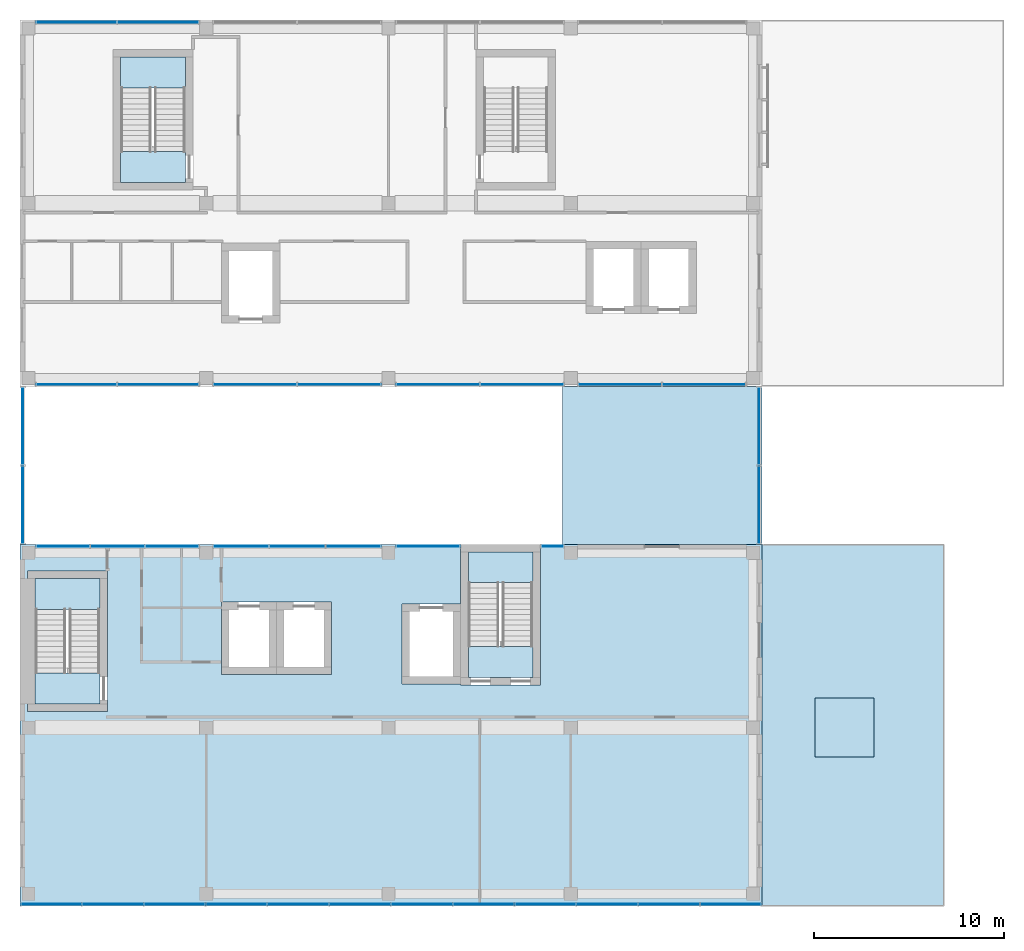
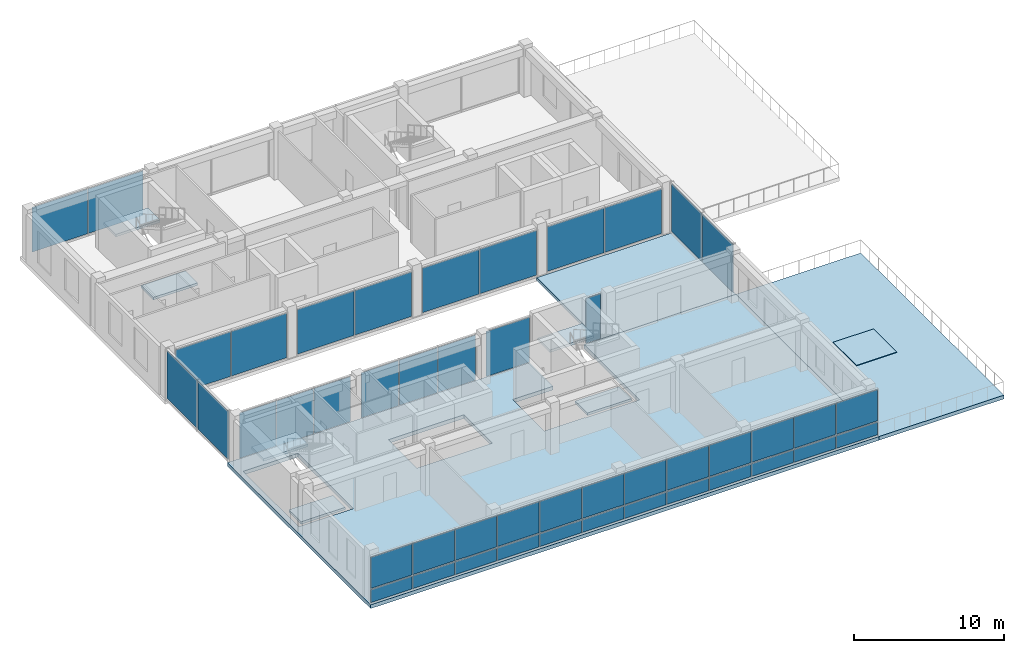
# One storey, part 17 of 27: 47 plates, 9 slabs, 15 elements without a shape of their own.
"""IFC4 building model written with IfcOpenShell, lengths in metres."""

from ifc_helpers import new_model, si_unit, direction, frame, origin, origin_2d, place, context, subcontext, project, spatial, polyline, rectangle, outline, extrude, material, layer, layer_set, type_object, element, aggregate, save


model = new_model("IFC4")

# Units and contexts
model_context = context("Model", 3, precision=1e-05, world=origin(), true_north=direction((0.0, 1.0)))
body_context = subcontext(model_context, "Body", "Model", "MODEL_VIEW")
ifc_project = project(units=[si_unit("LENGTHUNIT", "METRE"), si_unit("AREAUNIT", "SQUARE_METRE"), si_unit("VOLUMEUNIT", "CUBIC_METRE"), si_unit("PLANEANGLEUNIT", "RADIAN"), si_unit("MASSUNIT", "GRAM", prefix="KILO")], contexts=[model_context])

# Site, building, storey
site_placement = place(None, origin())
site = spatial("IfcSite", under=ifc_project, at=site_placement, CompositionType="ELEMENT")
building_placement = place(site_placement, origin())
building = spatial("IfcBuilding", under=site, at=building_placement, Name="Nzadi Deep Aquarium and Research Tower", CompositionType="ELEMENT")
storey_placement = place(building_placement, frame((0.0, 0.0, 69.699951171875)))
storey = spatial("IfcBuildingStorey", under=building, at=storey_placement, Name="L14", CompositionType="ELEMENT", Elevation=69.699951171875)

# Curtain wall, plates
ifc_material_1 = material(Name="Aluminium unitised frame", Category="aluminium")
ifc_layer_1 = layer(ifc_material_1, 0.199951171875)
ifc_layer_set_1 = layer_set([ifc_layer_1], Name="Aluminium unitised frame")
curtain_wall_type_1 = type_object("IfcCurtainWallType", Name="Curtain wall Unitised 200", PredefinedType="NOTDEFINED", material=ifc_layer_set_1)
curtain_wall_1_placement = place(storey_placement, origin())
curtain_wall_1 = element("IfcCurtainWall", 1, at=curtain_wall_1_placement, inside=storey, type_object=curtain_wall_type_1, Name="Unitised curtain wall blade A south L14", PredefinedType="NOTDEFINED")
ifc_material_2 = material(Name="Glass, sage tint", Category="glass")
ifc_layer_2 = layer(ifc_material_2, 0.035888671875)
ifc_layer_set_2 = layer_set([ifc_layer_2], Name="Glass, sage tint")
plate_type_1 = type_object("IfcPlateType", Name="Glazing panel 36 Unitised", PredefinedType="CURTAIN_PANEL", material=ifc_layer_set_2)
plate_1_placement = place(storey_placement, frame((1.442138671875, -0.10009765625, 1.260009765625), z_axis=(0.0, 0.0, 1.0), x_axis=(1.0, 0.0, 0.0)))
plate_1 = element("IfcPlate", 2, at=plate_1_placement, type_object=plate_type_1, Name="CW064 panel 1.2", PredefinedType="CURTAIN_PANEL", context=body_context, shape_type="SweptSolid", body=[
    extrude(rectangle(XDim=3.1640625, YDim=0.035888671875, at=origin_2d()), origin(), (0.0, 0.0, 1.0), 2.52001953125),
])
plate_2_placement = place(storey_placement, frame((4.68115234375, -0.10009765625, 1.260009765625), z_axis=(0.0, 0.0, 1.0), x_axis=(1.0, 0.0, 0.0)))
plate_2 = element("IfcPlate", 3, at=plate_2_placement, type_object=plate_type_1, Name="CW064 panel 2.2", PredefinedType="CURTAIN_PANEL", context=body_context, shape_type="SweptSolid", body=[
    extrude(rectangle(XDim=3.194091796875, YDim=0.035888671875, at=origin_2d()), origin(), (0.0, 0.0, 1.0), 2.52001953125),
])
plate_3_placement = place(storey_placement, frame((7.935302734375, -0.10009765625, 1.260009765625), z_axis=(0.0, 0.0, 1.0), x_axis=(1.0, 0.0, 0.0)))
plate_3 = element("IfcPlate", 4, at=plate_3_placement, type_object=plate_type_1, Name="CW064 panel 3.2", PredefinedType="CURTAIN_PANEL", context=body_context, shape_type="SweptSolid", body=[
    extrude(rectangle(XDim=3.194091796875, YDim=0.035888671875, at=origin_2d()), origin(), (0.0, 0.0, 1.0), 2.52001953125),
])
plate_4_placement = place(storey_placement, frame((11.189697265625, -0.10009765625, 1.260009765625), z_axis=(0.0, 0.0, 1.0), x_axis=(1.0, 0.0, 0.0)))
plate_4 = element("IfcPlate", 5, at=plate_4_placement, type_object=plate_type_1, Name="CW064 panel 4.2", PredefinedType="CURTAIN_PANEL", context=body_context, shape_type="SweptSolid", body=[
    extrude(rectangle(XDim=3.194091796875, YDim=0.035888671875, at=origin_2d()), origin(), (0.0, 0.0, 1.0), 2.52001953125),
])
plate_5_placement = place(storey_placement, frame((14.44384765625, -0.10009765625, 1.260009765625), z_axis=(0.0, 0.0, 1.0), x_axis=(1.0, 0.0, 0.0)))
plate_5 = element("IfcPlate", 6, at=plate_5_placement, type_object=plate_type_1, Name="CW064 panel 5.2", PredefinedType="CURTAIN_PANEL", context=body_context, shape_type="SweptSolid", body=[
    extrude(rectangle(XDim=3.194091796875, YDim=0.035888671875, at=origin_2d()), origin(), (0.0, 0.0, 1.0), 2.52001953125),
])
plate_6_placement = place(storey_placement, frame((17.697998046875, -0.10009765625, 1.260009765625), z_axis=(0.0, 0.0, 1.0), x_axis=(1.0, 0.0, 0.0)))
plate_6 = element("IfcPlate", 7, at=plate_6_placement, type_object=plate_type_1, Name="CW064 panel 6.2", PredefinedType="CURTAIN_PANEL", context=body_context, shape_type="SweptSolid", body=[
    extrude(rectangle(XDim=3.194091796875, YDim=0.035888671875, at=origin_2d()), origin(), (0.0, 0.0, 1.0), 2.52001953125),
])
plate_7_placement = place(storey_placement, frame((20.9521484375, -0.10009765625, 1.260009765625), z_axis=(0.0, 0.0, 1.0), x_axis=(1.0, 0.0, 0.0)))
plate_7 = element("IfcPlate", 8, at=plate_7_placement, type_object=plate_type_1, Name="CW064 panel 7.2", PredefinedType="CURTAIN_PANEL", context=body_context, shape_type="SweptSolid", body=[
    extrude(rectangle(XDim=3.194091796875, YDim=0.035888671875, at=origin_2d()), origin(), (0.0, 0.0, 1.0), 2.52001953125),
])
plate_8_placement = place(storey_placement, frame((24.206298828125, -0.10009765625, 1.260009765625), z_axis=(0.0, 0.0, 1.0), x_axis=(1.0, 0.0, 0.0)))
plate_8 = element("IfcPlate", 9, at=plate_8_placement, type_object=plate_type_1, Name="CW064 panel 8.2", PredefinedType="CURTAIN_PANEL", context=body_context, shape_type="SweptSolid", body=[
    extrude(rectangle(XDim=3.194091796875, YDim=0.035888671875, at=origin_2d()), origin(), (0.0, 0.0, 1.0), 2.52001953125),
])
plate_9_placement = place(storey_placement, frame((27.46044921875, -0.10009765625, 1.260009765625), z_axis=(0.0, 0.0, 1.0), x_axis=(1.0, 0.0, 0.0)))
plate_9 = element("IfcPlate", 10, at=plate_9_placement, type_object=plate_type_1, Name="CW064 panel 9.2", PredefinedType="CURTAIN_PANEL", context=body_context, shape_type="SweptSolid", body=[
    extrude(rectangle(XDim=3.194091796875, YDim=0.035888671875, at=origin_2d()), origin(), (0.0, 0.0, 1.0), 2.52001953125),
])
plate_10_placement = place(storey_placement, frame((30.714599609375, -0.10009765625, 1.260009765625), z_axis=(0.0, 0.0, 1.0), x_axis=(1.0, 0.0, 0.0)))
plate_10 = element("IfcPlate", 11, at=plate_10_placement, type_object=plate_type_1, Name="CW064 panel 10.2", PredefinedType="CURTAIN_PANEL", context=body_context, shape_type="SweptSolid", body=[
    extrude(rectangle(XDim=3.194091796875, YDim=0.035888671875, at=origin_2d()), origin(), (0.0, 0.0, 1.0), 2.52001953125),
])
plate_11_placement = place(storey_placement, frame((33.96875, -0.10009765625, 1.260009765625), z_axis=(0.0, 0.0, 1.0), x_axis=(1.0, 0.0, 0.0)))
plate_11 = element("IfcPlate", 12, at=plate_11_placement, type_object=plate_type_1, Name="CW064 panel 11.2", PredefinedType="CURTAIN_PANEL", context=body_context, shape_type="SweptSolid", body=[
    extrude(rectangle(XDim=3.194091796875, YDim=0.035888671875, at=origin_2d()), origin(), (0.0, 0.0, 1.0), 2.52001953125),
])
plate_12_placement = place(storey_placement, frame((37.2080078125, -0.10009765625, 1.260009765625), z_axis=(0.0, 0.0, 1.0), x_axis=(1.0, 0.0, 0.0)))
plate_12 = element("IfcPlate", 13, at=plate_12_placement, type_object=plate_type_1, Name="CW064 panel 12.2", PredefinedType="CURTAIN_PANEL", context=body_context, shape_type="SweptSolid", body=[
    extrude(rectangle(XDim=3.1640625, YDim=0.035888671875, at=origin_2d()), origin(), (0.0, 0.0, 1.0), 2.52001953125),
])

curtain_wall_2_placement = place(storey_placement, origin())
curtain_wall_2 = element("IfcCurtainWall", 14, at=curtain_wall_2_placement, inside=storey, type_object=curtain_wall_type_1, Name="Unitised curtain wall blade A north L14", PredefinedType="NOTDEFINED")
plate_13_placement = place(storey_placement, frame((2.056640625, 18.75, 0.1201171875), z_axis=(0.0, 0.0, 1.0), x_axis=(1.0, 0.0, 0.0)))
plate_13 = element("IfcPlate", 15, at=plate_13_placement, type_object=plate_type_1, Name="CW065 panel 1.1", PredefinedType="CURTAIN_PANEL", context=body_context, shape_type="SweptSolid", body=[
    extrude(rectangle(XDim=2.793212890625, YDim=0.035888671875, at=origin_2d()), origin(), (0.0, 0.0, 1.0), 3.659912109375),
])
plate_14_placement = place(storey_placement, frame((4.925048828125, 18.75, 0.1201171875), z_axis=(0.0, 0.0, 1.0), x_axis=(1.0, 0.0, 0.0)))
plate_14 = element("IfcPlate", 16, at=plate_14_placement, type_object=plate_type_1, Name="CW065 panel 2.1", PredefinedType="CURTAIN_PANEL", context=body_context, shape_type="SweptSolid", body=[
    extrude(rectangle(XDim=2.8232421875, YDim=0.035888671875, at=origin_2d()), origin(), (0.0, 0.0, 1.0), 3.659912109375),
])
plate_15_placement = place(storey_placement, frame((7.793212890625, 18.75, 0.1201171875), z_axis=(0.0, 0.0, 1.0), x_axis=(1.0, 0.0, 0.0)))
plate_15 = element("IfcPlate", 17, at=plate_15_placement, type_object=plate_type_1, Name="CW065 panel 3.1", PredefinedType="CURTAIN_PANEL", context=body_context, shape_type="SweptSolid", body=[
    extrude(rectangle(XDim=2.793212890625, YDim=0.035888671875, at=origin_2d()), origin(), (0.0, 0.0, 1.0), 3.659912109375),
])
aggregate(curtain_wall_2, [plate_13, plate_14, plate_15])

curtain_wall_3_placement = place(storey_placement, origin())
curtain_wall_3 = element("IfcCurtainWall", 18, at=curtain_wall_3_placement, inside=storey, type_object=curtain_wall_type_1, Name="Unitised curtain wall blade A north L14", PredefinedType="NOTDEFINED")
plate_16_placement = place(storey_placement, frame((11.4482421875, 18.75, 0.1201171875), z_axis=(0.0, 0.0, 1.0), x_axis=(1.0, 0.0, 0.0)))
plate_16 = element("IfcPlate", 19, at=plate_16_placement, type_object=plate_type_1, Name="CW066 panel 1.1", PredefinedType="CURTAIN_PANEL", context=body_context, shape_type="SweptSolid", body=[
    extrude(rectangle(XDim=2.876708984375, YDim=0.035888671875, at=origin_2d()), origin(), (0.0, 0.0, 1.0), 3.659912109375),
])
plate_17_placement = place(storey_placement, frame((14.39990234375, 18.75, 0.1201171875), z_axis=(0.0, 0.0, 1.0), x_axis=(1.0, 0.0, 0.0)))
plate_17 = element("IfcPlate", 20, at=plate_17_placement, type_object=plate_type_1, Name="CW066 panel 2.1", PredefinedType="CURTAIN_PANEL", context=body_context, shape_type="SweptSolid", body=[
    extrude(rectangle(XDim=2.90673828125, YDim=0.035888671875, at=origin_2d()), origin(), (0.0, 0.0, 1.0), 3.659912109375),
])
plate_18_placement = place(storey_placement, frame((17.3515625, 18.75, 0.1201171875), z_axis=(0.0, 0.0, 1.0), x_axis=(1.0, 0.0, 0.0)))
plate_18 = element("IfcPlate", 21, at=plate_18_placement, type_object=plate_type_1, Name="CW066 panel 3.1", PredefinedType="CURTAIN_PANEL", context=body_context, shape_type="SweptSolid", body=[
    extrude(rectangle(XDim=2.876708984375, YDim=0.035888671875, at=origin_2d()), origin(), (0.0, 0.0, 1.0), 3.659912109375),
])
aggregate(curtain_wall_3, [plate_16, plate_17, plate_18])

# Curtain wall, plate
curtain_wall_4_placement = place(storey_placement, origin())
curtain_wall_4 = element("IfcCurtainWall", 22, at=curtain_wall_4_placement, inside=storey, type_object=curtain_wall_type_1, Name="Unitised curtain wall blade A north L14", PredefinedType="NOTDEFINED")
plate_19_placement = place(storey_placement, frame((21.27490234375, 18.75, 0.1201171875), z_axis=(0.0, 0.0, 1.0), x_axis=(1.0, 0.0, 0.0)))
plate_19 = element("IfcPlate", 23, at=plate_19_placement, type_object=plate_type_1, Name="CW067 panel 1.1", PredefinedType="CURTAIN_PANEL", context=body_context, shape_type="SweptSolid", body=[
    extrude(rectangle(XDim=3.330078125, YDim=0.035888671875, at=origin_2d()), origin(), (0.0, 0.0, 1.0), 3.659912109375),
])
aggregate(curtain_wall_4, [plate_19])

curtain_wall_5_placement = place(storey_placement, origin())
curtain_wall_5 = element("IfcCurtainWall", 24, at=curtain_wall_5_placement, inside=storey, type_object=curtain_wall_type_1, Name="Unitised curtain wall blade A north L14", PredefinedType="NOTDEFINED")
plate_20_placement = place(storey_placement, frame((27.824951171875, 18.75, 0.1201171875), z_axis=(0.0, 0.0, 1.0), x_axis=(1.0, 0.0, 0.0)))
plate_20 = element("IfcPlate", 25, at=plate_20_placement, type_object=plate_type_1, Name="CW068 panel 1.1", PredefinedType="CURTAIN_PANEL", context=body_context, shape_type="SweptSolid", body=[
    extrude(rectangle(XDim=1.1298828125, YDim=0.035888671875, at=origin_2d()), origin(), (0.0, 0.0, 1.0), 3.659912109375),
])
aggregate(curtain_wall_5, [plate_20])

# Curtain wall, plates
ifc_material_3 = material(Name="Aluminium unitised frame deep", Category="aluminium")
ifc_layer_3 = layer(ifc_material_3, 0.22509765625)
ifc_layer_set_3 = layer_set([ifc_layer_3], Name="Aluminium unitised frame deep")
curtain_wall_type_2 = type_object("IfcCurtainWallType", Name="Curtain wall Unitised Deep 225", PredefinedType="NOTDEFINED", material=ifc_layer_set_3)
curtain_wall_6_placement = place(storey_placement, origin())
curtain_wall_6 = element("IfcCurtainWall", 26, at=curtain_wall_6_placement, inside=storey, type_object=curtain_wall_type_2, Name="Unitised curtain wall blade B south L14", PredefinedType="NOTDEFINED")
ifc_material_4 = material(Name="Glass, sage tint", Category="glass")
ifc_layer_4 = layer(ifc_material_4, 0.0400390625)
ifc_layer_set_4 = layer_set([ifc_layer_4], Name="Glass, sage tint")
plate_type_2 = type_object("IfcPlateType", Name="Glazing panel 40 Unitised Deep", PredefinedType="CURTAIN_PANEL", material=ifc_layer_set_4)
plate_21_placement = place(storey_placement, frame((2.777587890625, 27.262451171875, 0.139892578125), z_axis=(0.0, 0.0, 1.0), x_axis=(1.0, 0.0, 0.0)))
plate_21 = element("IfcPlate", 27, at=plate_21_placement, type_object=plate_type_2, Name="CW176 panel 1.1", PredefinedType="CURTAIN_PANEL", context=body_context, shape_type="SweptSolid", body=[
    extrude(rectangle(XDim=4.235107421875, YDim=0.0400390625, at=origin_2d()), origin(), (0.0, 0.0, 1.0), 3.6201171875),
])
plate_22_placement = place(storey_placement, frame((7.072509765625, 27.262451171875, 0.139892578125), z_axis=(0.0, 0.0, 1.0), x_axis=(1.0, 0.0, 0.0)))
plate_22 = element("IfcPlate", 28, at=plate_22_placement, type_object=plate_type_2, Name="CW176 panel 2.1", PredefinedType="CURTAIN_PANEL", context=body_context, shape_type="SweptSolid", body=[
    extrude(rectangle(XDim=4.235107421875, YDim=0.0400390625, at=origin_2d()), origin(), (0.0, 0.0, 1.0), 3.6201171875),
])
aggregate(curtain_wall_6, [plate_21, plate_22])

curtain_wall_7_placement = place(storey_placement, origin())
curtain_wall_7 = element("IfcCurtainWall", 29, at=curtain_wall_7_placement, inside=storey, type_object=curtain_wall_type_2, Name="Unitised curtain wall blade B south L14", PredefinedType="NOTDEFINED")
plate_23_placement = place(storey_placement, frame((12.18994140625, 27.262451171875, 0.139892578125), z_axis=(0.0, 0.0, 1.0), x_axis=(1.0, 0.0, 0.0)))
plate_23 = element("IfcPlate", 30, at=plate_23_placement, type_object=plate_type_2, Name="CW177 panel 1.1", PredefinedType="CURTAIN_PANEL", context=body_context, shape_type="SweptSolid", body=[
    extrude(rectangle(XDim=4.360107421875, YDim=0.0400390625, at=origin_2d()), origin(), (0.0, 0.0, 1.0), 3.6201171875),
])
plate_24_placement = place(storey_placement, frame((16.610107421875, 27.262451171875, 0.139892578125), z_axis=(0.0, 0.0, 1.0), x_axis=(1.0, 0.0, 0.0)))
plate_24 = element("IfcPlate", 31, at=plate_24_placement, type_object=plate_type_2, Name="CW177 panel 2.1", PredefinedType="CURTAIN_PANEL", context=body_context, shape_type="SweptSolid", body=[
    extrude(rectangle(XDim=4.360107421875, YDim=0.0400390625, at=origin_2d()), origin(), (0.0, 0.0, 1.0), 3.6201171875),
])
aggregate(curtain_wall_7, [plate_23, plate_24])

curtain_wall_8_placement = place(storey_placement, origin())
curtain_wall_8 = element("IfcCurtainWall", 32, at=curtain_wall_8_placement, inside=storey, type_object=curtain_wall_type_2, Name="Unitised curtain wall blade B south L14", PredefinedType="NOTDEFINED")
plate_25_placement = place(storey_placement, frame((21.7900390625, 27.262451171875, 0.139892578125), z_axis=(0.0, 0.0, 1.0), x_axis=(1.0, 0.0, 0.0)))
plate_25 = element("IfcPlate", 33, at=plate_25_placement, type_object=plate_type_2, Name="CW178 panel 1.1", PredefinedType="CURTAIN_PANEL", context=body_context, shape_type="SweptSolid", body=[
    extrude(rectangle(XDim=4.360107421875, YDim=0.0400390625, at=origin_2d()), origin(), (0.0, 0.0, 1.0), 3.6201171875),
])
plate_26_placement = place(storey_placement, frame((26.2099609375, 27.262451171875, 0.139892578125), z_axis=(0.0, 0.0, 1.0), x_axis=(1.0, 0.0, 0.0)))
plate_26 = element("IfcPlate", 34, at=plate_26_placement, type_object=plate_type_2, Name="CW178 panel 2.1", PredefinedType="CURTAIN_PANEL", context=body_context, shape_type="SweptSolid", body=[
    extrude(rectangle(XDim=4.360107421875, YDim=0.0400390625, at=origin_2d()), origin(), (0.0, 0.0, 1.0), 3.6201171875),
])
aggregate(curtain_wall_8, [plate_25, plate_26])

curtain_wall_9_placement = place(storey_placement, origin())
curtain_wall_9 = element("IfcCurtainWall", 35, at=curtain_wall_9_placement, inside=storey, type_object=curtain_wall_type_2, Name="Unitised curtain wall blade B south L14", PredefinedType="NOTDEFINED")
plate_27_placement = place(storey_placement, frame((31.389892578125, 27.262451171875, 0.139892578125), z_axis=(0.0, 0.0, 1.0), x_axis=(1.0, 0.0, 0.0)))
plate_27 = element("IfcPlate", 36, at=plate_27_placement, type_object=plate_type_2, Name="CW179 panel 1.1", PredefinedType="CURTAIN_PANEL", context=body_context, shape_type="SweptSolid", body=[
    extrude(rectangle(XDim=4.360107421875, YDim=0.0400390625, at=origin_2d()), origin(), (0.0, 0.0, 1.0), 3.6201171875),
])
plate_28_placement = place(storey_placement, frame((35.81005859375, 27.262451171875, 0.139892578125), z_axis=(0.0, 0.0, 1.0), x_axis=(1.0, 0.0, 0.0)))
plate_28 = element("IfcPlate", 37, at=plate_28_placement, type_object=plate_type_2, Name="CW179 panel 2.1", PredefinedType="CURTAIN_PANEL", context=body_context, shape_type="SweptSolid", body=[
    extrude(rectangle(XDim=4.360107421875, YDim=0.0400390625, at=origin_2d()), origin(), (0.0, 0.0, 1.0), 3.6201171875),
])
aggregate(curtain_wall_9, [plate_27, plate_28])

curtain_wall_10_placement = place(storey_placement, origin())
curtain_wall_10 = element("IfcCurtainWall", 38, at=curtain_wall_10_placement, inside=storey, type_object=curtain_wall_type_2, Name="Unitised curtain wall blade B north L14", PredefinedType="NOTDEFINED")
plate_29_placement = place(storey_placement, frame((2.777587890625, 46.33740234375, 0.139892578125), z_axis=(0.0, 0.0, 1.0), x_axis=(1.0, 0.0, 0.0)))
plate_29 = element("IfcPlate", 39, at=plate_29_placement, type_object=plate_type_2, Name="CW180 panel 1.1", PredefinedType="CURTAIN_PANEL", context=body_context, shape_type="SweptSolid", body=[
    extrude(rectangle(XDim=4.235107421875, YDim=0.0400390625, at=origin_2d()), origin(), (0.0, 0.0, 1.0), 3.6201171875),
])
plate_30_placement = place(storey_placement, frame((7.072509765625, 46.33740234375, 0.139892578125), z_axis=(0.0, 0.0, 1.0), x_axis=(1.0, 0.0, 0.0)))
plate_30 = element("IfcPlate", 40, at=plate_30_placement, type_object=plate_type_2, Name="CW180 panel 2.1", PredefinedType="CURTAIN_PANEL", context=body_context, shape_type="SweptSolid", body=[
    extrude(rectangle(XDim=4.235107421875, YDim=0.0400390625, at=origin_2d()), origin(), (0.0, 0.0, 1.0), 3.6201171875),
])
aggregate(curtain_wall_10, [plate_29, plate_30])

ifc_material_5 = material(Name="Aluminium unitised frame wind post", Category="aluminium")
ifc_layer_5 = layer(ifc_material_5, 0.300048828125)
ifc_layer_set_5 = layer_set([ifc_layer_5], Name="Aluminium unitised frame wind post")
curtain_wall_type_3 = type_object("IfcCurtainWallType", Name="Curtain wall Slot End 300", PredefinedType="NOTDEFINED", material=ifc_layer_set_5)
curtain_wall_11_placement = place(storey_placement, origin())
curtain_wall_11 = element("IfcCurtainWall", 41, at=curtain_wall_11_placement, inside=storey, type_object=curtain_wall_type_3, Name="Glazed slot end west L14", PredefinedType="NOTDEFINED")
ifc_material_6 = material(Name="Glass, sage tint", Category="glass")
ifc_layer_6 = layer(ifc_material_6, 0.0439453125)
ifc_layer_set_6 = layer_set([ifc_layer_6], Name="Glass, sage tint")
plate_type_3 = type_object("IfcPlateType", Name="Glazing panel 44 Slot End", PredefinedType="CURTAIN_PANEL", material=ifc_layer_set_6)
plate_31_placement = place(storey_placement, frame((-0.050048828125, 20.93994140625, 0.16015625), z_axis=(0.0, 0.0, 1.0), x_axis=(0.0, 1.0, 0.0)))
plate_31 = element("IfcPlate", 42, at=plate_31_placement, type_object=plate_type_3, Name="CW219 panel 1.1", PredefinedType="CURTAIN_PANEL", context=body_context, shape_type="SweptSolid", body=[
    extrude(rectangle(XDim=4.06005859375, YDim=0.0439453125, at=origin_2d()), origin(), (0.0, 0.0, 1.0), 3.8798828125),
])
plate_32_placement = place(storey_placement, frame((-0.050048828125, 25.06005859375, 0.16015625), z_axis=(0.0, 0.0, 1.0), x_axis=(0.0, 1.0, 0.0)))
plate_32 = element("IfcPlate", 43, at=plate_32_placement, type_object=plate_type_3, Name="CW219 panel 2.1", PredefinedType="CURTAIN_PANEL", context=body_context, shape_type="SweptSolid", body=[
    extrude(rectangle(XDim=4.06005859375, YDim=0.0439453125, at=origin_2d()), origin(), (0.0, 0.0, 1.0), 3.8798828125),
])
aggregate(curtain_wall_11, [plate_31, plate_32])

curtain_wall_12_placement = place(storey_placement, origin())
curtain_wall_12 = element("IfcCurtainWall", 44, at=curtain_wall_12_placement, inside=storey, type_object=curtain_wall_type_3, Name="Glazed slot end east L14", PredefinedType="NOTDEFINED")
plate_33_placement = place(storey_placement, frame((38.699951171875, 20.93994140625, 0.16015625), z_axis=(0.0, 0.0, 1.0), x_axis=(0.0, 1.0, 0.0)))
plate_33 = element("IfcPlate", 45, at=plate_33_placement, type_object=plate_type_3, Name="CW220 panel 1.1", PredefinedType="CURTAIN_PANEL", context=body_context, shape_type="SweptSolid", body=[
    extrude(rectangle(XDim=4.06005859375, YDim=0.0439453125, at=origin_2d()), origin(), (0.0, 0.0, 1.0), 3.8798828125),
])
plate_34_placement = place(storey_placement, frame((38.699951171875, 25.06005859375, 0.16015625), z_axis=(0.0, 0.0, 1.0), x_axis=(0.0, 1.0, 0.0)))
plate_34 = element("IfcPlate", 46, at=plate_34_placement, type_object=plate_type_3, Name="CW220 panel 2.1", PredefinedType="CURTAIN_PANEL", context=body_context, shape_type="SweptSolid", body=[
    extrude(rectangle(XDim=4.06005859375, YDim=0.0439453125, at=origin_2d()), origin(), (0.0, 0.0, 1.0), 3.8798828125),
])
aggregate(curtain_wall_12, [plate_33, plate_34])

# Stair, slabs
ifc_material_7 = material(Name="Concrete C35/45", Category="concrete")
stair_type = type_object("IfcStairType", Name="STAIR RETURN 3000", PredefinedType="NOTDEFINED", material=ifc_material_7)
stair_1_placement = place(storey_placement, origin())
stair_1 = element("IfcStair", 47, at=stair_1_placement, inside=storey, type_object=stair_type, Name="Stair ST-Z1-SW L14", PredefinedType="HALF_TURN_STAIR")
ifc_material_8 = material(Name="Concrete C35/45", Category="concrete")
ifc_layer_7 = layer(ifc_material_8, 0.199951171875)
ifc_layer_set_7 = layer_set([ifc_layer_7], Name="Concrete C35/45")
slab_type_1 = type_object("IfcSlabType", Name="LANDING 200", PredefinedType="LANDING", material=ifc_layer_set_7)
slab_1_placement = place(storey_placement, frame((0.0, 0.0, -0.199951171875)))
slab_1 = element("IfcSlab", 48, at=slab_1_placement, type_object=slab_type_1, Name="ST-Z1-SW landing 1", PredefinedType="LANDING", context=body_context, shape_type="SweptSolid", body=[
    extrude(outline(polyline([(0.60009765625, 10.449951171875), (4.0, 10.449951171875), (4.0, 12.070068359375), (0.60009765625, 12.070068359375), (0.60009765625, 10.449951171875)])), origin(), (0.0, 0.0, 1.0), 0.199951171875),
])
slab_2_placement = place(storey_placement, frame((0.0, 0.0, 1.900146484375)))
slab_2 = element("IfcSlab", 49, at=slab_2_placement, type_object=slab_type_1, Name="ST-Z1-SW landing 2", PredefinedType="LANDING", context=body_context, shape_type="SweptSolid", body=[
    extrude(outline(polyline([(0.60009765625, 15.429931640625), (4.0, 15.429931640625), (4.0, 17.050048828125), (0.60009765625, 17.050048828125), (0.60009765625, 15.429931640625)])), origin(), (0.0, 0.0, 1.0), 0.199951171875),
])
aggregate(stair_1, [slab_1, slab_2])

stair_2_placement = place(storey_placement, origin())
stair_2 = element("IfcStair", 50, at=stair_2_placement, inside=storey, type_object=stair_type, Name="Stair ST-Z1-SE L14", PredefinedType="HALF_TURN_STAIR")
slab_3_placement = place(storey_placement, frame((0.0, 0.0, -0.199951171875)))
slab_3 = element("IfcSlab", 51, at=slab_3_placement, type_object=slab_type_1, Name="ST-Z1-SE landing 1", PredefinedType="LANDING", context=body_context, shape_type="SweptSolid", body=[
    extrude(outline(polyline([(23.39990234375, 11.85009765625), (26.800048828125, 11.85009765625), (26.800048828125, 13.469970703125), (23.39990234375, 13.469970703125), (23.39990234375, 11.85009765625)])), origin(), (0.0, 0.0, 1.0), 0.199951171875),
])
slab_4_placement = place(storey_placement, frame((0.0, 0.0, 1.900146484375)))
slab_4 = element("IfcSlab", 52, at=slab_4_placement, type_object=slab_type_1, Name="ST-Z1-SE landing 2", PredefinedType="LANDING", context=body_context, shape_type="SweptSolid", body=[
    extrude(outline(polyline([(23.39990234375, 16.830078125), (26.800048828125, 16.830078125), (26.800048828125, 18.449951171875), (23.39990234375, 18.449951171875), (23.39990234375, 16.830078125)])), origin(), (0.0, 0.0, 1.0), 0.199951171875),
])
aggregate(stair_2, [slab_3, slab_4])

stair_3_placement = place(storey_placement, origin())
stair_3 = element("IfcStair", 53, at=stair_3_placement, inside=storey, type_object=stair_type, Name="Stair ST-Z1-NW L14", PredefinedType="HALF_TURN_STAIR")
slab_5_placement = place(storey_placement, frame((0.0, 0.0, -0.199951171875)))
slab_5 = element("IfcSlab", 54, at=slab_5_placement, type_object=slab_type_1, Name="ST-Z1-NW landing 1", PredefinedType="LANDING", context=body_context, shape_type="SweptSolid", body=[
    extrude(outline(polyline([(5.10009765625, 37.89990234375), (8.5, 37.89990234375), (8.5, 39.52001953125), (5.10009765625, 39.52001953125), (5.10009765625, 37.89990234375)])), origin(), (0.0, 0.0, 1.0), 0.199951171875),
])
slab_6_placement = place(storey_placement, frame((0.0, 0.0, 1.900146484375)))
slab_6 = element("IfcSlab", 55, at=slab_6_placement, type_object=slab_type_1, Name="ST-Z1-NW landing 2", PredefinedType="LANDING", context=body_context, shape_type="SweptSolid", body=[
    extrude(outline(polyline([(5.10009765625, 42.8798828125), (8.5, 42.8798828125), (8.5, 44.5), (5.10009765625, 44.5), (5.10009765625, 42.8798828125)])), origin(), (0.0, 0.0, 1.0), 0.199951171875),
])
aggregate(stair_3, [slab_5, slab_6])

# Slabs
ifc_material_9 = material(Name="Concrete C35/45", Category="concrete")
ifc_layer_8 = layer(ifc_material_9, 0.300048828125)
ifc_layer_set_8 = layer_set([ifc_layer_8], Name="Concrete C35/45")
slab_type_2 = type_object("IfcSlabType", Name="RC floor slab 300", PredefinedType="FLOOR", material=ifc_layer_set_8)
slab_7_placement = place(storey_placement, frame((0.0, 0.0, -0.300048828125)))
element("IfcSlab", 56, at=slab_7_placement, inside=storey, type_object=slab_type_2, Name="Tower floor A L14", PredefinedType="FLOOR", context=body_context, shape_type="SweptSolid", body=[
    extrude(outline(polyline([(27.199951171875, 11.449951171875), (23.0, 11.449951171875), (23.0, 11.5), (19.89990234375, 11.5), (19.89990234375, 15.699951171875), (23.0, 15.699951171875), (23.0, 18.85009765625), (-0.199462890625, 18.85009765625), (-0.199462890625, -0.199951171875), (38.85009765625, -0.199951171875), (38.85009765625, 18.85009765625), (27.199951171875, 18.85009765625), (27.199951171875, 11.449951171875)]), holes=[polyline([(4.39990234375, 17.449951171875), (4.39990234375, 10.050048828125), (0.199951171875, 10.050048828125), (0.199951171875, 17.449951171875), (4.39990234375, 17.449951171875)]), polyline([(10.39990234375, 12.0), (10.39990234375, 15.800048828125), (13.300048828125, 15.800048828125), (16.199951171875, 15.800048828125), (16.199951171875, 12.0), (13.300048828125, 12.0), (10.39990234375, 12.0)])]), origin(), (0.0, 0.0, 1.0), 0.300048828125),
])
ifc_material_10 = material(Name="Concrete C35/45", Category="concrete")
ifc_layer_9 = layer(ifc_material_10, 0.25)
ifc_layer_set_9 = layer_set([ifc_layer_9], Name="Concrete C35/45")
slab_type_3 = type_object("IfcSlabType", Name="RC roof slab 250", PredefinedType="ROOF", material=ifc_layer_set_9)
slab_8_placement = place(storey_placement, frame((0.0, 0.0, -0.25)))
element("IfcSlab", 57, at=slab_8_placement, inside=storey, type_object=slab_type_3, Name="Bridge roof L13", PredefinedType="ROOF", context=body_context, shape_type="SweptSolid", body=[
    extrude(outline(polyline([(38.85009765625, 18.85009765625), (38.85009765625, 27.14990234375), (28.35009765625, 27.14990234375), (28.35009765625, 18.85009765625), (38.85009765625, 18.85009765625)])), origin(), (0.0, 0.0, 1.0), 0.25),
])
ifc_material_11 = material(Name="Concrete C35/45", Category="concrete")
ifc_layer_10 = layer(ifc_material_11, 0.300048828125)
ifc_layer_set_10 = layer_set([ifc_layer_10], Name="Concrete C35/45")
slab_type_4 = type_object("IfcSlabType", Name="RC roof slab 300", PredefinedType="ROOF", material=ifc_layer_set_10)
slab_9_placement = place(storey_placement, frame((0.0, 0.0, -0.300048828125)))
element("IfcSlab", 58, at=slab_9_placement, inside=storey, type_object=slab_type_4, Name="Terrace A L14", PredefinedType="ROOF", context=body_context, shape_type="SweptSolid", body=[
    extrude(outline(polyline([(38.85009765625, -0.199951171875), (48.449951171875, -0.199951171875), (48.449951171875, 18.85009765625), (38.85009765625, 18.85009765625), (38.85009765625, -0.199951171875)]), holes=[polyline([(44.699951171875, 7.699951171875), (41.699951171875, 7.699951171875), (41.699951171875, 10.699951171875), (44.699951171875, 10.699951171875), (44.699951171875, 7.699951171875)])]), origin(), (0.0, 0.0, 1.0), 0.300048828125),
])

# Plate
ifc_material_12 = material(Name="Glass", Category="glass")
ifc_layer_11 = layer(ifc_material_12, 0.0400390625)
ifc_layer_set_11 = layer_set([ifc_layer_11], Name="Glass")
plate_type_4 = type_object("IfcPlateType", Name="Rooflight glass 40", PredefinedType="SHEET", material=ifc_layer_set_11)
plate_35_placement = place(storey_placement, frame((43.199951171875, 9.199951171875, 0.0), z_axis=(0.0, 0.0, 1.0), x_axis=(1.0, 0.0, 0.0)))
element("IfcPlate", 59, at=plate_35_placement, inside=storey, type_object=plate_type_4, Name="PL-RL-TA", PredefinedType="SHEET", context=body_context, shape_type="SweptSolid", body=[
    extrude(rectangle(XDim=3.10009765625, YDim=3.10009765625, at=origin_2d()), origin(), (0.0, 0.0, 1.0), 0.0400390625),
])

ifc_material_13 = material(Name="Glass spandrel, enamelled", Category="glass")
ifc_layer_12 = layer(ifc_material_13, 0.035888671875)
ifc_layer_set_12 = layer_set([ifc_layer_12], Name="Glass spandrel, enamelled")
plate_type_5 = type_object("IfcPlateType", Name="Spandrel panel 36 Unitised", PredefinedType="CURTAIN_PANEL", material=ifc_layer_set_12)
plate_36_placement = place(storey_placement, frame((1.442138671875, -0.10009765625, 0.1201171875), z_axis=(0.0, 0.0, 1.0), x_axis=(1.0, 0.0, 0.0)))
plate_36 = element("IfcPlate", 60, at=plate_36_placement, type_object=plate_type_5, Name="CW064 panel 1.1", PredefinedType="CURTAIN_PANEL", context=body_context, shape_type="SweptSolid", body=[
    extrude(rectangle(XDim=3.1640625, YDim=0.035888671875, at=origin_2d()), origin(), (0.0, 0.0, 1.0), 1.02001953125),
])

plate_37_placement = place(storey_placement, frame((4.68115234375, -0.10009765625, 0.1201171875), z_axis=(0.0, 0.0, 1.0), x_axis=(1.0, 0.0, 0.0)))
plate_37 = element("IfcPlate", 61, at=plate_37_placement, type_object=plate_type_5, Name="CW064 panel 2.1", PredefinedType="CURTAIN_PANEL", context=body_context, shape_type="SweptSolid", body=[
    extrude(rectangle(XDim=3.194091796875, YDim=0.035888671875, at=origin_2d()), origin(), (0.0, 0.0, 1.0), 1.02001953125),
])

plate_38_placement = place(storey_placement, frame((7.935302734375, -0.10009765625, 0.1201171875), z_axis=(0.0, 0.0, 1.0), x_axis=(1.0, 0.0, 0.0)))
plate_38 = element("IfcPlate", 62, at=plate_38_placement, type_object=plate_type_5, Name="CW064 panel 3.1", PredefinedType="CURTAIN_PANEL", context=body_context, shape_type="SweptSolid", body=[
    extrude(rectangle(XDim=3.194091796875, YDim=0.035888671875, at=origin_2d()), origin(), (0.0, 0.0, 1.0), 1.02001953125),
])

plate_39_placement = place(storey_placement, frame((11.189697265625, -0.10009765625, 0.1201171875), z_axis=(0.0, 0.0, 1.0), x_axis=(1.0, 0.0, 0.0)))
plate_39 = element("IfcPlate", 63, at=plate_39_placement, type_object=plate_type_5, Name="CW064 panel 4.1", PredefinedType="CURTAIN_PANEL", context=body_context, shape_type="SweptSolid", body=[
    extrude(rectangle(XDim=3.194091796875, YDim=0.035888671875, at=origin_2d()), origin(), (0.0, 0.0, 1.0), 1.02001953125),
])

plate_40_placement = place(storey_placement, frame((14.44384765625, -0.10009765625, 0.1201171875), z_axis=(0.0, 0.0, 1.0), x_axis=(1.0, 0.0, 0.0)))
plate_40 = element("IfcPlate", 64, at=plate_40_placement, type_object=plate_type_5, Name="CW064 panel 5.1", PredefinedType="CURTAIN_PANEL", context=body_context, shape_type="SweptSolid", body=[
    extrude(rectangle(XDim=3.194091796875, YDim=0.035888671875, at=origin_2d()), origin(), (0.0, 0.0, 1.0), 1.02001953125),
])

plate_41_placement = place(storey_placement, frame((17.697998046875, -0.10009765625, 0.1201171875), z_axis=(0.0, 0.0, 1.0), x_axis=(1.0, 0.0, 0.0)))
plate_41 = element("IfcPlate", 65, at=plate_41_placement, type_object=plate_type_5, Name="CW064 panel 6.1", PredefinedType="CURTAIN_PANEL", context=body_context, shape_type="SweptSolid", body=[
    extrude(rectangle(XDim=3.194091796875, YDim=0.035888671875, at=origin_2d()), origin(), (0.0, 0.0, 1.0), 1.02001953125),
])

plate_42_placement = place(storey_placement, frame((20.9521484375, -0.10009765625, 0.1201171875), z_axis=(0.0, 0.0, 1.0), x_axis=(1.0, 0.0, 0.0)))
plate_42 = element("IfcPlate", 66, at=plate_42_placement, type_object=plate_type_5, Name="CW064 panel 7.1", PredefinedType="CURTAIN_PANEL", context=body_context, shape_type="SweptSolid", body=[
    extrude(rectangle(XDim=3.194091796875, YDim=0.035888671875, at=origin_2d()), origin(), (0.0, 0.0, 1.0), 1.02001953125),
])

plate_43_placement = place(storey_placement, frame((24.206298828125, -0.10009765625, 0.1201171875), z_axis=(0.0, 0.0, 1.0), x_axis=(1.0, 0.0, 0.0)))
plate_43 = element("IfcPlate", 67, at=plate_43_placement, type_object=plate_type_5, Name="CW064 panel 8.1", PredefinedType="CURTAIN_PANEL", context=body_context, shape_type="SweptSolid", body=[
    extrude(rectangle(XDim=3.194091796875, YDim=0.035888671875, at=origin_2d()), origin(), (0.0, 0.0, 1.0), 1.02001953125),
])

plate_44_placement = place(storey_placement, frame((27.46044921875, -0.10009765625, 0.1201171875), z_axis=(0.0, 0.0, 1.0), x_axis=(1.0, 0.0, 0.0)))
plate_44 = element("IfcPlate", 68, at=plate_44_placement, type_object=plate_type_5, Name="CW064 panel 9.1", PredefinedType="CURTAIN_PANEL", context=body_context, shape_type="SweptSolid", body=[
    extrude(rectangle(XDim=3.194091796875, YDim=0.035888671875, at=origin_2d()), origin(), (0.0, 0.0, 1.0), 1.02001953125),
])

plate_45_placement = place(storey_placement, frame((30.714599609375, -0.10009765625, 0.1201171875), z_axis=(0.0, 0.0, 1.0), x_axis=(1.0, 0.0, 0.0)))
plate_45 = element("IfcPlate", 69, at=plate_45_placement, type_object=plate_type_5, Name="CW064 panel 10.1", PredefinedType="CURTAIN_PANEL", context=body_context, shape_type="SweptSolid", body=[
    extrude(rectangle(XDim=3.194091796875, YDim=0.035888671875, at=origin_2d()), origin(), (0.0, 0.0, 1.0), 1.02001953125),
])

plate_46_placement = place(storey_placement, frame((33.96875, -0.10009765625, 0.1201171875), z_axis=(0.0, 0.0, 1.0), x_axis=(1.0, 0.0, 0.0)))
plate_46 = element("IfcPlate", 70, at=plate_46_placement, type_object=plate_type_5, Name="CW064 panel 11.1", PredefinedType="CURTAIN_PANEL", context=body_context, shape_type="SweptSolid", body=[
    extrude(rectangle(XDim=3.194091796875, YDim=0.035888671875, at=origin_2d()), origin(), (0.0, 0.0, 1.0), 1.02001953125),
])

plate_47_placement = place(storey_placement, frame((37.2080078125, -0.10009765625, 0.1201171875), z_axis=(0.0, 0.0, 1.0), x_axis=(1.0, 0.0, 0.0)))
plate_47 = element("IfcPlate", 71, at=plate_47_placement, type_object=plate_type_5, Name="CW064 panel 12.1", PredefinedType="CURTAIN_PANEL", context=body_context, shape_type="SweptSolid", body=[
    extrude(rectangle(XDim=3.1640625, YDim=0.035888671875, at=origin_2d()), origin(), (0.0, 0.0, 1.0), 1.02001953125),
])

aggregate(curtain_wall_1, [plate_36, plate_1, plate_37, plate_2, plate_38, plate_3, plate_39, plate_4, plate_40, plate_5, plate_41, plate_6, plate_42, plate_7, plate_43, plate_8, plate_44, plate_9, plate_45, plate_10, plate_46, plate_11, plate_47, plate_12])

save(model, "model.ifc")
